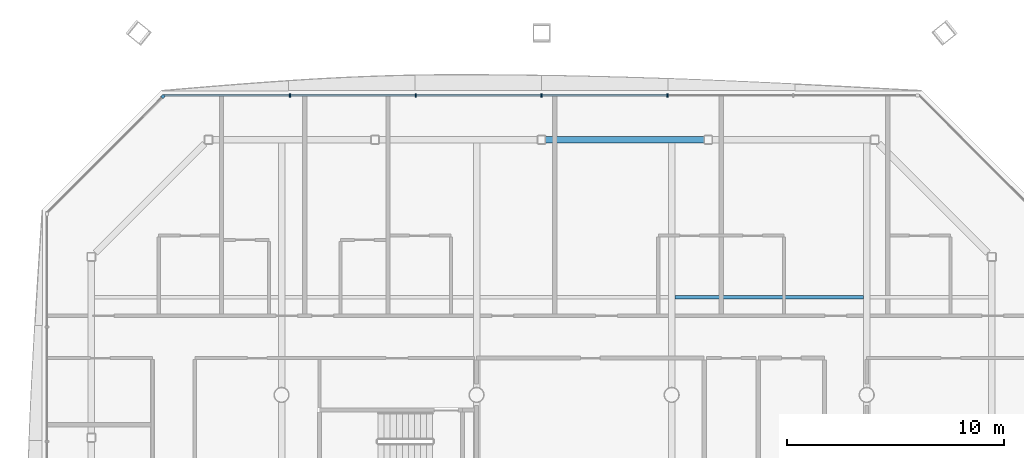
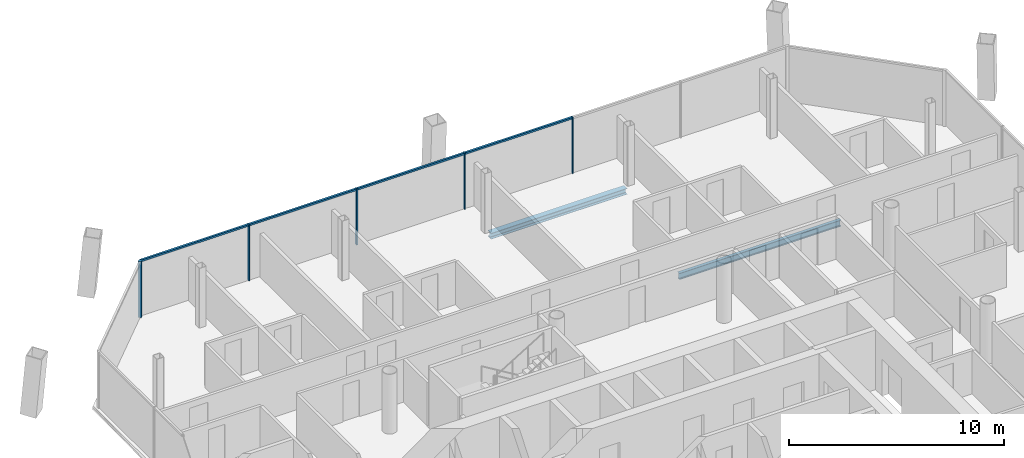
# One storey, part 9 of 21: 9 members, 2 beams, 2 elements without a shape of their own.
"""IFC4 building model written with IfcOpenShell, lengths in metres."""

from ifc_helpers import new_model, si_unit, direction, frame, origin, origin_2d, place, context, subcontext, project, spatial, rectangle, i_section, extrude, material, material_profile, profile_set, type_object, element, aggregate, save


model = new_model("IFC4")

# Units and contexts
model_context = context("Model", 3, precision=1e-05, world=origin(), true_north=direction((0.0, 1.0)))
body_context = subcontext(model_context, "Body", "Model", "MODEL_VIEW")
ifc_project = project(units=[si_unit("LENGTHUNIT", "METRE"), si_unit("AREAUNIT", "SQUARE_METRE"), si_unit("VOLUMEUNIT", "CUBIC_METRE"), si_unit("PLANEANGLEUNIT", "RADIAN"), si_unit("MASSUNIT", "GRAM", prefix="KILO")], contexts=[model_context])

# Site, building, storey
site_placement = place(None, origin())
site = spatial("IfcSite", under=ifc_project, at=site_placement, CompositionType="ELEMENT")
building_placement = place(site_placement, origin())
building = spatial("IfcBuilding", under=site, at=building_placement, Name="Tskaro Facet Tower", CompositionType="ELEMENT")
storey_placement = place(building_placement, frame((0.0, 0.0, 135.10009765625)))
storey = spatial("IfcBuildingStorey", under=building, at=storey_placement, Name="L32", CompositionType="ELEMENT", Elevation=135.10009765625)

# Curtain wall, member
ifc_material_1 = material(Name="Bronze anodised aluminium 6063-T6", Category="aluminium")
curtain_wall_type = type_object("IfcCurtainWallType", Name="Bronze hotel curtain wall (FW2)", PredefinedType="NOTDEFINED", material=ifc_material_1)
curtain_wall_1_placement = place(storey_placement, origin())
curtain_wall_1 = element("IfcCurtainWall", 1, at=curtain_wall_1_placement, inside=storey, type_object=curtain_wall_type, Name="FW2 north-west facet L32", PredefinedType="NOTDEFINED")
ifc_material_profile_1 = material_profile(ifc_material_1, rectangle(XDim=0.14990234375, YDim=0.14990234375, at=origin_2d()), Name="Corner post 150x150")
ifc_profile_set_1 = profile_set([ifc_material_profile_1], Name="Bronze anodised aluminium 6063-T6")
member_type_1 = type_object("IfcMemberType", Name="FW2 bronze corner post 150x150", PredefinedType="MULLION", material=ifc_profile_set_1)
member_1_placement = place(storey_placement, frame((-14.47509765625, 22.766845703125, 0.0), z_axis=(0.0, 0.0, 1.0), x_axis=(-0.707106781187, -0.707106781187, 0.0)))
member_1 = element("IfcMember", 2, at=member_1_placement, type_object=member_type_1, Name="FW2 north-west corner post", PredefinedType="MULLION", context=body_context, shape_type="SweptSolid", body=[
    extrude(rectangle(XDim=0.14990234375, YDim=0.14990234375, at=origin_2d()), origin(), (0.0, 0.0, 1.0), 3.199951171875),
])
aggregate(curtain_wall_1, [member_1])

# Curtain wall, members
curtain_wall_2_placement = place(storey_placement, origin())
curtain_wall_2 = element("IfcCurtainWall", 3, at=curtain_wall_2_placement, inside=storey, type_object=curtain_wall_type, Name="FW2 north facet L32", PredefinedType="NOTDEFINED")
ifc_material_profile_2 = material_profile(ifc_material_1, rectangle(XDim=0.06005859375, YDim=0.14990234375, at=origin_2d()), Name="Mullion 60x150")
ifc_profile_set_2 = profile_set([ifc_material_profile_2], Name="Bronze anodised aluminium 6063-T6")
member_type_2 = type_object("IfcMemberType", Name="FW2 bronze mullion 60x150", PredefinedType="MULLION", material=ifc_profile_set_2)
member_2_placement = place(storey_placement, frame((8.807373046875, 22.820068359375, 0.0), z_axis=(0.0, 0.0, 1.0), x_axis=(-1.0, 0.0, 0.0)))
member_2 = element("IfcMember", 4, at=member_2_placement, type_object=member_type_2, Name="FW2 north mullion 2", PredefinedType="MULLION", context=body_context, shape_type="SweptSolid", body=[
    extrude(rectangle(XDim=0.06005859375, YDim=0.14990234375, at=origin_2d()), origin(), (0.0, 0.0, 1.0), 3.199951171875),
])
member_3_placement = place(storey_placement, frame((3.0, 22.820068359375, 0.0), z_axis=(0.0, 0.0, 1.0), x_axis=(-1.0, 0.0, 0.0)))
member_3 = element("IfcMember", 5, at=member_3_placement, type_object=member_type_2, Name="FW2 north mullion 3", PredefinedType="MULLION", context=body_context, shape_type="SweptSolid", body=[
    extrude(rectangle(XDim=0.06005859375, YDim=0.14990234375, at=origin_2d()), origin(), (0.0, 0.0, 1.0), 3.199951171875),
])
member_4_placement = place(storey_placement, frame((-2.807373046875, 22.820068359375, 0.0), z_axis=(0.0, 0.0, 1.0), x_axis=(-1.0, 0.0, 0.0)))
member_4 = element("IfcMember", 6, at=member_4_placement, type_object=member_type_2, Name="FW2 north mullion 4", PredefinedType="MULLION", context=body_context, shape_type="SweptSolid", body=[
    extrude(rectangle(XDim=0.06005859375, YDim=0.14990234375, at=origin_2d()), origin(), (0.0, 0.0, 1.0), 3.199951171875),
])
member_5_placement = place(storey_placement, frame((-8.61474609375, 22.820068359375, 0.0), z_axis=(0.0, 0.0, 1.0), x_axis=(-1.0, 0.0, 0.0)))
member_5 = element("IfcMember", 7, at=member_5_placement, type_object=member_type_2, Name="FW2 north mullion 5", PredefinedType="MULLION", context=body_context, shape_type="SweptSolid", body=[
    extrude(rectangle(XDim=0.06005859375, YDim=0.14990234375, at=origin_2d()), origin(), (0.0, 0.0, 1.0), 3.199951171875),
])
ifc_material_profile_3 = material_profile(ifc_material_1, rectangle(XDim=0.110107421875, YDim=0.10009765625, at=origin_2d()), Name="Transom 110x100")
ifc_profile_set_3 = profile_set([ifc_material_profile_3], Name="Bronze anodised aluminium 6063-T6")
member_type_3 = type_object("IfcMemberType", Name="FW2 bronze transom 110x100", PredefinedType="USERDEFINED", material=ifc_profile_set_3)
member_6_placement = place(storey_placement, frame((8.77734375, 22.820068359375, 3.14990234375), z_axis=(-1.0, 0.0, 0.0), x_axis=(0.0, -1.0, 0.0)))
member_6 = element("IfcMember", 8, at=member_6_placement, type_object=member_type_3, Name="FW2 north transom 3.1", ObjectType="TRANSOM", PredefinedType="USERDEFINED", context=body_context, shape_type="SweptSolid", body=[
    extrude(rectangle(XDim=0.110107421875, YDim=0.10009765625, at=origin_2d()), origin(), (0.0, 0.0, 1.0), 5.747314453125),
])
member_7_placement = place(storey_placement, frame((2.969970703125, 22.820068359375, 3.14990234375), z_axis=(-1.0, 0.0, 0.0), x_axis=(0.0, -1.0, 0.0)))
member_7 = element("IfcMember", 9, at=member_7_placement, type_object=member_type_3, Name="FW2 north transom 4.1", ObjectType="TRANSOM", PredefinedType="USERDEFINED", context=body_context, shape_type="SweptSolid", body=[
    extrude(rectangle(XDim=0.110107421875, YDim=0.10009765625, at=origin_2d()), origin(), (0.0, 0.0, 1.0), 5.747314453125),
])
member_8_placement = place(storey_placement, frame((-2.83740234375, 22.820068359375, 3.14990234375), z_axis=(-1.0, 0.0, 0.0), x_axis=(0.0, -1.0, 0.0)))
member_8 = element("IfcMember", 10, at=member_8_placement, type_object=member_type_3, Name="FW2 north transom 5.1", ObjectType="TRANSOM", PredefinedType="USERDEFINED", context=body_context, shape_type="SweptSolid", body=[
    extrude(rectangle(XDim=0.110107421875, YDim=0.10009765625, at=origin_2d()), origin(), (0.0, 0.0, 1.0), 5.747314453125),
])
member_9_placement = place(storey_placement, frame((-8.644775390625, 22.820068359375, 3.14990234375), z_axis=(-1.0, 0.0, 0.0), x_axis=(0.0, -1.0, 0.0)))
member_9 = element("IfcMember", 11, at=member_9_placement, type_object=member_type_3, Name="FW2 north transom 6.1", ObjectType="TRANSOM", PredefinedType="USERDEFINED", context=body_context, shape_type="SweptSolid", body=[
    extrude(rectangle(XDim=0.110107421875, YDim=0.10009765625, at=origin_2d()), origin(), (0.0, 0.0, 1.0), 5.77734375),
])
aggregate(curtain_wall_2, [member_2, member_3, member_4, member_5, member_6, member_7, member_8, member_9])

# Beams
ifc_material_2 = material(Name="Steel S355J2", Category="steel")
ifc_material_profile_4 = material_profile(ifc_material_2, i_section(OverallWidth=0.300048828125, OverallDepth=0.340087890625, WebThickness=0.011962890625, FlangeThickness=0.021484375, FilletRadius=0.027099609375, at=origin_2d()), Name="HE 340 B")
ifc_profile_set_4 = profile_set([ifc_material_profile_4], Name="Steel S355J2")
beam_type_1 = type_object("IfcBeamType", Name="HE 340 B ring beam", PredefinedType="BEAM", material=ifc_profile_set_4)
beam_1_placement = place(storey_placement, frame((10.50390625, 20.77392578125, -0.31005859375), z_axis=(-1.0, 0.0, 0.0), x_axis=(0.0, -1.0, 0.0)))
element("IfcBeam", 12, at=beam_1_placement, inside=storey, type_object=beam_type_1, Name="HE 340 B EB12-3", PredefinedType="BEAM", context=body_context, shape_type="SweptSolid", body=[
    extrude(i_section(OverallWidth=0.300048828125, OverallDepth=0.340087890625, WebThickness=0.011962890625, FlangeThickness=0.021484375, FilletRadius=0.027099609375, at=origin_2d()), origin(), (0.0, 0.0, 1.0), 7.323974609375),
])
ifc_material_profile_5 = material_profile(ifc_material_2, i_section(OverallWidth=0.169921875, OverallDepth=0.360107421875, WebThickness=0.008056640625, FlangeThickness=0.0126953125, FilletRadius=0.01806640625, at=origin_2d()), Name="IPE 360")
ifc_profile_set_5 = profile_set([ifc_material_profile_5], Name="Steel S355J2")
beam_type_2 = type_object("IfcBeamType", Name="IPE 360 secondary beam", PredefinedType="BEAM", material=ifc_profile_set_5)
beam_2_placement = place(storey_placement, frame((9.14990234375, 13.5, -0.320068359375), z_axis=(1.0, 0.0, 0.0), x_axis=(0.0, 1.0, 0.0)))
element("IfcBeam", 13, at=beam_2_placement, inside=storey, type_object=beam_type_2, Name="IPE 360 SB5a-4-3", PredefinedType="BEAM", context=body_context, shape_type="SweptSolid", body=[
    extrude(i_section(OverallWidth=0.169921875, OverallDepth=0.360107421875, WebThickness=0.008056640625, FlangeThickness=0.0126953125, FilletRadius=0.01806640625, at=origin_2d()), origin(), (0.0, 0.0, 1.0), 8.7001953125),
])

save(model, "model.ifc")
